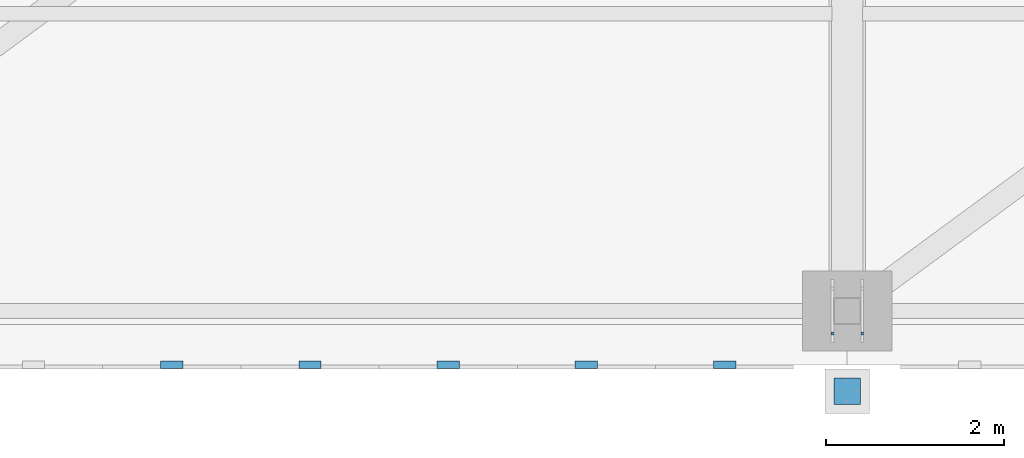
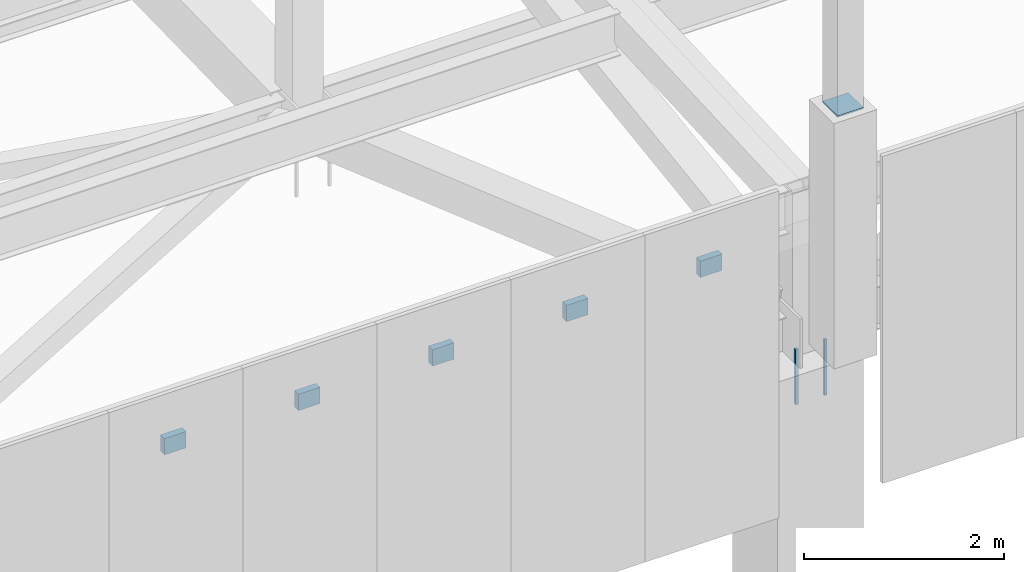
# One storey, part 132 of 278: 6 discrete accessories, 2 mechanical fasteners.
"""IFC4 building model written with IfcOpenShell, lengths in metres."""

from ifc_helpers import new_model, si_unit, direction, frame, origin, origin_2d, place, context, subcontext, project, spatial, rectangle, extrude, material, layer, layer_set, type_object, element, save


model = new_model("IFC4")

# Units and contexts
model_context = context("Model", 3, precision=1e-05, world=origin(), true_north=direction((0.0, 1.0)))
body_context = subcontext(model_context, "Body", "Model", "MODEL_VIEW")
ifc_project = project(units=[si_unit("LENGTHUNIT", "METRE"), si_unit("AREAUNIT", "SQUARE_METRE"), si_unit("VOLUMEUNIT", "CUBIC_METRE"), si_unit("PLANEANGLEUNIT", "RADIAN"), si_unit("MASSUNIT", "GRAM", prefix="KILO")], contexts=[model_context])

# Site, building, storey
site_placement = place(None, origin())
site = spatial("IfcSite", under=ifc_project, at=site_placement, CompositionType="ELEMENT")
building_placement = place(site_placement, origin())
building = spatial("IfcBuilding", under=site, at=building_placement, Name="Ogive Plaza Stadium", CompositionType="ELEMENT")
storey_placement = place(building_placement, frame((0.0, 0.0, 29.0)))
storey = spatial("IfcBuildingStorey", under=building, at=storey_placement, Name="Roof", CompositionType="ELEMENT", Elevation=29.0)

# Mechanical fasteners
ifc_material_1 = material(Name="Steel ASTM A992 Grade 50", Category="steel")
mechanical_fastener_type = type_object("IfcMechanicalFastenerType", Name="Anchor bolt M30 x 600", PredefinedType="ANCHORBOLT", material=ifc_material_1)
for number, where, z_axis, x_axis, name in (
    (1, (-6.633544921875, -102.75244140625, 3.0), (0.0, 0.0, 1.0), (0.0, -1.0, 0.0), "ANCHOR BOLT 15 BF 1.1"),
    (2, (-6.96630859375, -102.75244140625, 3.0), (0.0, 0.0, 1.0), (0.0, -1.0, 0.0), "ANCHOR BOLT 15 BF 2.1"),
):
    element("IfcMechanicalFastener", number, at=place(storey_placement, frame(where, z_axis=z_axis, x_axis=x_axis)), inside=storey, type_object=mechanical_fastener_type, Name=name, PredefinedType="ANCHORBOLT", context=body_context, shape_type="SweptSolid", body=[
        extrude(rectangle(XDim=0.030029296875, YDim=0.030029296875, at=origin_2d()), origin(), (0.0, 0.0, 1.0), 0.679931640625),
    ])

# Discrete accessories
ifc_material_2 = material(Name="Steel ASTM A992 Grade 50", Category="steel")
ifc_layer_1 = layer(ifc_material_2, 0.02001953125)
ifc_layer_set_1 = layer_set([ifc_layer_1], Name="Steel ASTM A992 Grade 50")
discrete_accessory_type_1 = type_object("IfcDiscreteAccessoryType", Name="Spire seat plate 20", PredefinedType="ANCHORPLATE", material=ifc_layer_set_1)
discrete_accessory_placement = place(storey_placement, frame((-6.800048828125, -103.39990234375, 6.98095703125), z_axis=(0.0, 0.0, 1.0), x_axis=(0.0, -1.0, 0.0)))
element("IfcDiscreteAccessory", 3, at=discrete_accessory_placement, inside=storey, type_object=discrete_accessory_type_1, Name="SPIRE SEAT PLATE 15", PredefinedType="ANCHORPLATE", context=body_context, shape_type="SweptSolid", body=[
    extrude(rectangle(XDim=0.300048828125, YDim=0.300048828125, at=origin_2d()), origin(), (0.0, 0.0, 1.0), 0.02001953125),
])
ifc_material_3 = material(Name="Steel ASTM A572 Grade 50", Category="steel")
ifc_layer_2 = layer(ifc_material_3, 0.080078125)
ifc_layer_set_2 = layer_set([ifc_layer_2], Name="Steel ASTM A572 Grade 50")
discrete_accessory_type_2 = type_object("IfcDiscreteAccessoryType", Name="Tracery screen bracket 250x200", PredefinedType="BRACKET", material=ifc_layer_set_2)
for number, where, z_axis, x_axis, name in (
    (4, (-8.175048828125, -103.102294921875, 5.25), (0.0, 0.0, 1.0), (-1.0, 0.0, 0.0), "TRACERY SCREEN BRACKET B15 1"),
    (5, (-9.72509765625, -103.102294921875, 5.25), (0.0, 0.0, 1.0), (-1.0, 0.0, 0.0), "TRACERY SCREEN BRACKET B15 2"),
    (6, (-11.27490234375, -103.102294921875, 5.25), (0.0, 0.0, 1.0), (-1.0, 0.0, 0.0), "TRACERY SCREEN BRACKET B15 3"),
    (7, (-12.824951171875, -103.102294921875, 5.25), (0.0, 0.0, 1.0), (-1.0, 0.0, 0.0), "TRACERY SCREEN BRACKET B15 4"),
    (8, (-14.375, -103.102294921875, 5.25), (0.0, 0.0, 1.0), (-1.0, 0.0, 0.0), "TRACERY SCREEN BRACKET B15 5"),
):
    element("IfcDiscreteAccessory", number, at=place(storey_placement, frame(where, z_axis=z_axis, x_axis=x_axis)), inside=storey, type_object=discrete_accessory_type_2, Name=name, PredefinedType="BRACKET", context=body_context, shape_type="SweptSolid", body=[
        extrude(rectangle(XDim=0.25, YDim=0.080078125, at=origin_2d()), origin(), (0.0, 0.0, 1.0), 0.199951171875),
    ])

save(model, "model.ifc")
